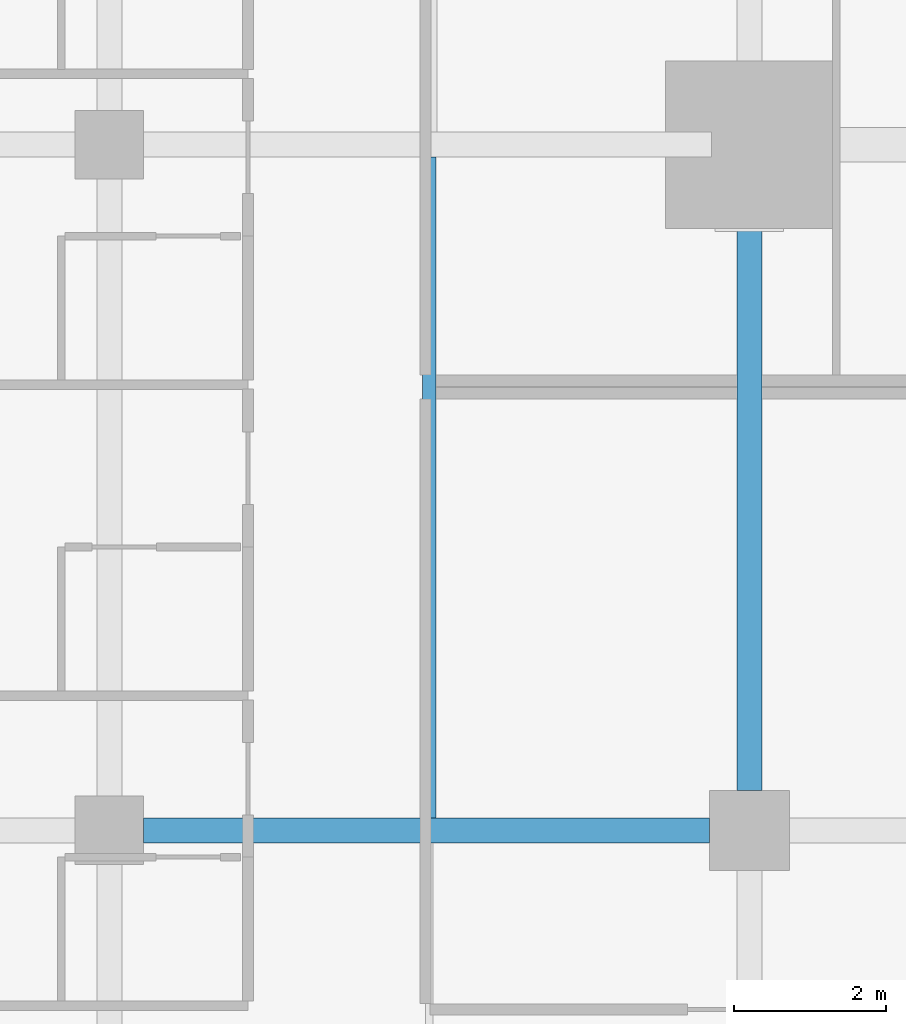
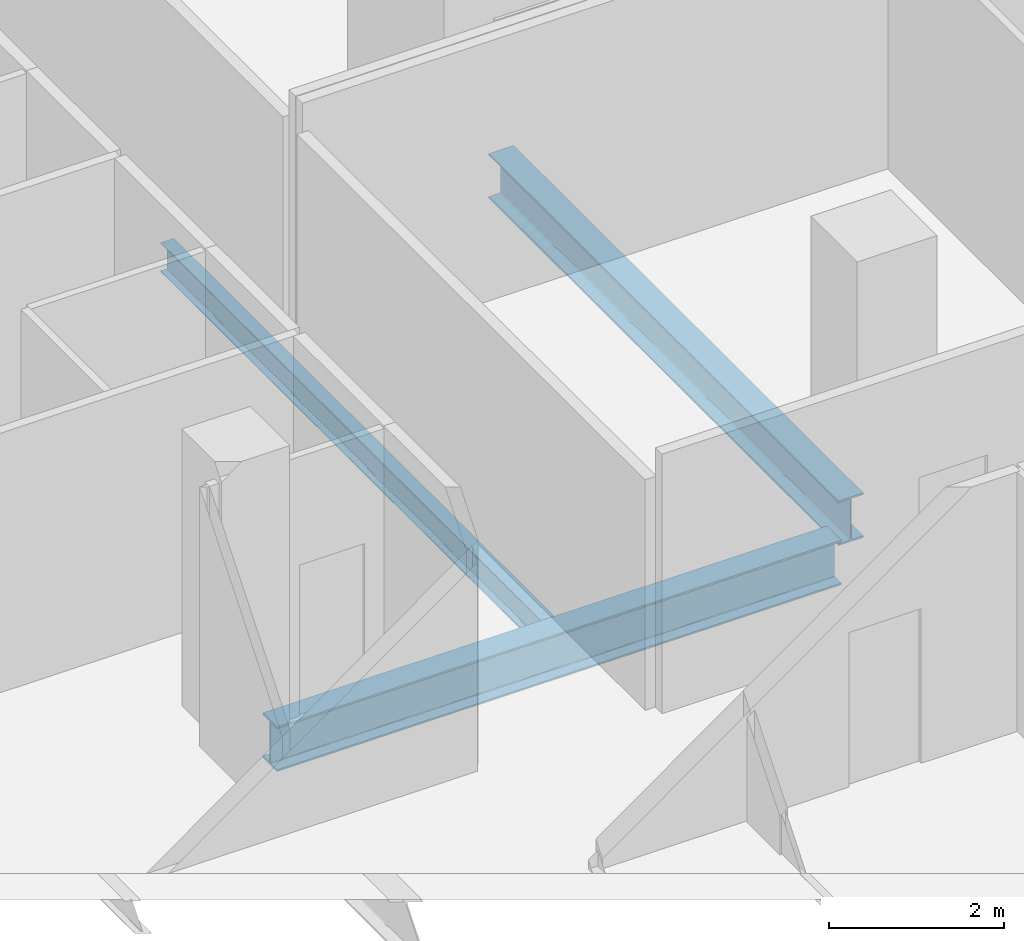
# One storey, part 11 of 40: 3 beams.
"""IFC4 building model written with IfcOpenShell, lengths in metres."""

from ifc_helpers import new_model, si_unit, direction, frame, origin, origin_2d, place, context, subcontext, project, spatial, i_section, extrude, material, material_profile, profile_set, type_object, element, save


model = new_model("IFC4")

# Units and contexts
model_context = context("Model", 3, precision=1e-05, world=origin(), true_north=direction((0.0, 1.0)))
body_context = subcontext(model_context, "Body", "Model", "MODEL_VIEW")
ifc_project = project(units=[si_unit("LENGTHUNIT", "METRE"), si_unit("AREAUNIT", "SQUARE_METRE"), si_unit("VOLUMEUNIT", "CUBIC_METRE"), si_unit("PLANEANGLEUNIT", "RADIAN"), si_unit("MASSUNIT", "GRAM", prefix="KILO")], contexts=[model_context])

# Site, building, storey
site_placement = place(None, origin())
site = spatial("IfcSite", under=ifc_project, at=site_placement, CompositionType="ELEMENT")
building_placement = place(site_placement, origin())
building = spatial("IfcBuilding", under=site, at=building_placement, Name="Maruvema Waterfront Hotel and Observation Tower", CompositionType="ELEMENT")
storey_placement = place(building_placement, frame((0.0, 0.0, 57.75)))
storey = spatial("IfcBuildingStorey", under=building, at=storey_placement, Name="L13", CompositionType="ELEMENT", Elevation=57.75)

# Beams
ifc_material_1 = material(Name="Steel ASTM A572 Grade 50", Category="steel")
ifc_material_profile_1 = material_profile(ifc_material_1, i_section(OverallWidth=0.326904296875, OverallDepth=0.6220703125, WebThickness=0.015380859375, FlangeThickness=0.0244140625, FilletRadius=0.01806640625, at=origin_2d()), Name="W610x195.0")
ifc_profile_set_1 = profile_set([ifc_material_profile_1], Name="Steel ASTM A572 Grade 50")
beam_type_1 = type_object("IfcBeamType", Name="Primary Floor Girder W610x195.0", PredefinedType="BEAM", material=ifc_profile_set_1)
beam_1_placement = place(storey_placement, frame((17.25, 18.0, -0.551025390625), z_axis=(1.0, 0.0, 0.0), x_axis=(0.0, 1.0, 0.0)))
element("IfcBeam", 1, at=beam_1_placement, inside=storey, type_object=beam_type_1, Name="L13 Floor Girder EW-14", PredefinedType="BEAM", context=body_context, shape_type="SweptSolid", body=[
    extrude(i_section(OverallWidth=0.326904296875, OverallDepth=0.6220703125, WebThickness=0.015380859375, FlangeThickness=0.0244140625, FilletRadius=0.01806640625, at=origin_2d()), origin(), (0.0, 0.0, 1.0), 7.425048828125),
])
beam_2_placement = place(storey_placement, frame((25.199951171875, 18.52490234375, -0.551025390625), z_axis=(0.0, 1.0, 0.0), x_axis=(-1.0, 0.0, 0.0)))
element("IfcBeam", 2, at=beam_2_placement, inside=storey, type_object=beam_type_1, Name="L13 Floor Girder NS-13", PredefinedType="BEAM", context=body_context, shape_type="SweptSolid", body=[
    extrude(i_section(OverallWidth=0.326904296875, OverallDepth=0.6220703125, WebThickness=0.015380859375, FlangeThickness=0.0244140625, FilletRadius=0.01806640625, at=origin_2d()), origin(), (0.0, 0.0, 1.0), 7.97509765625),
])
ifc_material_2 = material(Name="Steel ASTM A572 Grade 50", Category="steel")
ifc_material_profile_2 = material_profile(ifc_material_2, i_section(OverallWidth=0.177001953125, OverallDepth=0.403076171875, WebThickness=0.007568359375, FlangeThickness=0.010986328125, FilletRadius=0.014892578125, at=origin_2d()), Name="W410x53.0")
ifc_profile_set_2 = profile_set([ifc_material_profile_2], Name="Steel ASTM A572 Grade 50")
beam_type_2 = type_object("IfcBeamType", Name="Secondary Floor Joist W410x53.0", PredefinedType="JOIST", material=ifc_profile_set_2)
beam_3_placement = place(storey_placement, frame((21.0, 18.16357421875, -0.44140625), z_axis=(0.0, 1.0, 0.0), x_axis=(-1.0, 0.0, 0.0)))
element("IfcBeam", 3, at=beam_3_placement, inside=storey, type_object=beam_type_2, Name="L13 Secondary Floor Joist JS-07", PredefinedType="JOIST", context=body_context, shape_type="SweptSolid", body=[
    extrude(i_section(OverallWidth=0.177001953125, OverallDepth=0.403076171875, WebThickness=0.007568359375, FlangeThickness=0.010986328125, FilletRadius=0.014892578125, at=origin_2d()), origin(), (0.0, 0.0, 1.0), 8.6728515625),
])

save(model, "model.ifc")
